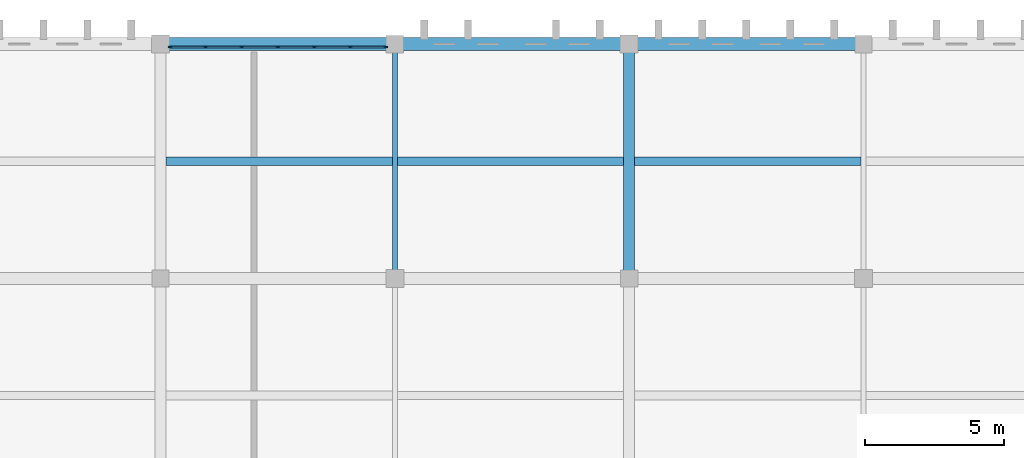
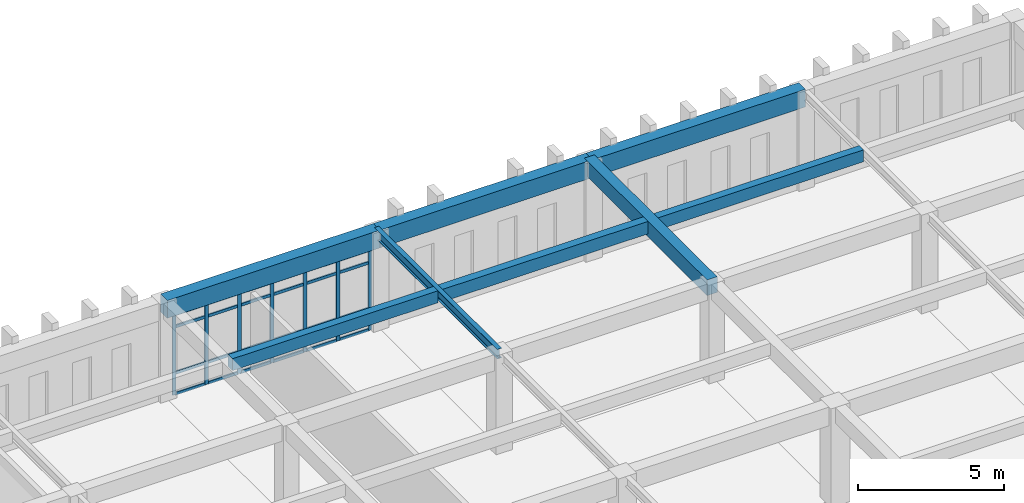
# One storey, part 109 of 192: 31 members, 8 beams, 1 element without a shape of its own.
"""IFC4 building model written with IfcOpenShell, lengths in metres."""

from ifc_helpers import new_model, si_unit, direction, frame, origin, origin_2d, place, context, subcontext, project, spatial, rectangle, i_section, extrude, material, layer, layer_set, material_profile, profile_set, type_object, element, aggregate, save


model = new_model("IFC4")

# Units and contexts
model_context = context("Model", 3, precision=1e-05, world=origin(), true_north=direction((0.0, 1.0)))
body_context = subcontext(model_context, "Body", "Model", "MODEL_VIEW")
ifc_project = project(units=[si_unit("LENGTHUNIT", "METRE"), si_unit("AREAUNIT", "SQUARE_METRE"), si_unit("VOLUMEUNIT", "CUBIC_METRE"), si_unit("PLANEANGLEUNIT", "RADIAN"), si_unit("MASSUNIT", "GRAM", prefix="KILO")], contexts=[model_context])

# Site, building, storey
site_placement = place(None, origin())
site = spatial("IfcSite", under=ifc_project, at=site_placement, CompositionType="ELEMENT")
building_placement = place(site_placement, origin())
building = spatial("IfcBuilding", under=site, at=building_placement, Name="Kveldsbrygga Polytechnic", CompositionType="ELEMENT")
storey_placement = place(building_placement, frame((0.0, 0.0, 5.43994140625)))
storey = spatial("IfcBuildingStorey", under=building, at=storey_placement, Name="L01", CompositionType="ELEMENT", Elevation=5.43994140625)

# Beams
ifc_material_1 = material(Name="Concrete C35/45", Category="concrete")
ifc_material_profile_1 = material_profile(ifc_material_1, rectangle(XDim=0.39990234375, YDim=0.64990234375, at=origin_2d()), Name="RC 400x650")
ifc_profile_set_1 = profile_set([ifc_material_profile_1], Name="Concrete C35/45")
beam_type_1 = type_object("IfcBeamType", Name="BM-RC-400x650", PredefinedType="BEAM", material=ifc_profile_set_1)
beam_1_placement = place(storey_placement, frame((151.199951171875, 109.199951171875, 3.795166015625), z_axis=(0.0, 1.0, 0.0), x_axis=(-1.0, 0.0, 0.0)))
element("IfcBeam", 1, at=beam_1_placement, inside=storey, type_object=beam_type_1, Name="Primary Beam BMY-L01-18-13to14", PredefinedType="BEAM", context=body_context, shape_type="SweptSolid", body=[
    extrude(rectangle(XDim=0.39990234375, YDim=0.64990234375, at=origin_2d()), origin(), (0.0, 0.0, 1.0), 8.400146484375),
])
ifc_material_profile_2 = material_profile(ifc_material_1, rectangle(XDim=0.4599609375, YDim=0.739990234375, at=origin_2d()), Name="RC 460x740")
ifc_profile_set_2 = profile_set([ifc_material_profile_2], Name="Concrete C35/45")
beam_type_2 = type_object("IfcBeamType", Name="BM-RC-460x740", PredefinedType="BEAM", material=ifc_profile_set_2)
beam_2_placement = place(storey_placement, frame((134.39990234375, 117.60009765625, 3.75), z_axis=(1.0, 0.0, 0.0), x_axis=(0.0, 1.0, 0.0)))
element("IfcBeam", 2, at=beam_2_placement, inside=storey, type_object=beam_type_2, Name="Primary Beam BMX-L01-16to17-14", PredefinedType="BEAM", context=body_context, shape_type="SweptSolid", body=[
    extrude(rectangle(XDim=0.4599609375, YDim=0.739990234375, at=origin_2d()), origin(), (0.0, 0.0, 1.0), 8.400146484375),
])
beam_3_placement = place(storey_placement, frame((142.800048828125, 117.60009765625, 3.75), z_axis=(1.0, 0.0, 0.0), x_axis=(0.0, 1.0, 0.0)))
element("IfcBeam", 3, at=beam_3_placement, inside=storey, type_object=beam_type_2, Name="Primary Beam BMX-L01-17to18-14", PredefinedType="BEAM", context=body_context, shape_type="SweptSolid", body=[
    extrude(rectangle(XDim=0.4599609375, YDim=0.739990234375, at=origin_2d()), origin(), (0.0, 0.0, 1.0), 8.39990234375),
])
beam_4_placement = place(storey_placement, frame((151.199951171875, 117.60009765625, 3.75), z_axis=(1.0, 0.0, 0.0), x_axis=(0.0, 1.0, 0.0)))
element("IfcBeam", 4, at=beam_4_placement, inside=storey, type_object=beam_type_2, Name="Primary Beam BMX-L01-18to19-14", PredefinedType="BEAM", context=body_context, shape_type="SweptSolid", body=[
    extrude(rectangle(XDim=0.4599609375, YDim=0.739990234375, at=origin_2d()), origin(), (0.0, 0.0, 1.0), 8.400146484375),
])
ifc_material_2 = material(Name="Steel S355", Category="steel")
ifc_material_profile_3 = material_profile(ifc_material_2, i_section(OverallWidth=0.179931640625, OverallDepth=0.39990234375, WebThickness=0.008544921875, FlangeThickness=0.013427734375, FilletRadius=0.02099609375, at=origin_2d()), Name="IPE 400")
ifc_profile_set_3 = profile_set([ifc_material_profile_3], Name="Steel S355")
beam_type_3 = type_object("IfcBeamType", Name="BM-STL-IPE400", PredefinedType="BEAM", material=ifc_profile_set_3)
beam_5_placement = place(storey_placement, frame((142.800048828125, 109.199951171875, 3.920166015625), z_axis=(0.0, 1.0, 0.0), x_axis=(-1.0, 0.0, 0.0)))
element("IfcBeam", 5, at=beam_5_placement, inside=storey, type_object=beam_type_3, Name="Primary Beam BMY-L01-17-13to14", PredefinedType="BEAM", context=body_context, shape_type="SweptSolid", body=[
    extrude(i_section(OverallWidth=0.179931640625, OverallDepth=0.39990234375, WebThickness=0.008544921875, FlangeThickness=0.013427734375, FilletRadius=0.02099609375, at=origin_2d()), origin(), (0.0, 0.0, 1.0), 8.400146484375),
])

# Curtain wall, members
ifc_material_3 = material(Name="Anodised aluminium AW-6060", Category="aluminium")
ifc_layer = layer(ifc_material_3, 0.179931640625)
ifc_layer_set = layer_set([ifc_layer], Name="Anodised aluminium AW-6060")
curtain_wall_type = type_object("IfcCurtainWallType", Name="CW-CONC-A", PredefinedType="USERDEFINED", material=ifc_layer_set)
curtain_wall_placement = place(storey_placement, origin())
curtain_wall = element("IfcCurtainWall", 6, at=curtain_wall_placement, inside=storey, type_object=curtain_wall_type, Name="Curtain Wall CW-L01-X-16-14", ObjectType="UNITISED CURTAIN WALL", PredefinedType="USERDEFINED")
ifc_material_profile_4 = material_profile(ifc_material_3, rectangle(XDim=0.06005859375, YDim=0.139892578125, at=origin_2d()), Name="ALU 60x140")
ifc_profile_set_4 = profile_set([ifc_material_profile_4], Name="Anodised aluminium AW-6060")
member_type_1 = type_object("IfcMemberType", Name="CW-MUL-140", PredefinedType="MULLION", material=ifc_profile_set_4)
member_1_placement = place(storey_placement, frame((134.739990234375, 117.5, 0.0), z_axis=(0.0, 0.0, 1.0), x_axis=(0.0, 1.0, 0.0)))
member_1 = element("IfcMember", 7, at=member_1_placement, type_object=member_type_1, Name="CW-01 mullion 1", PredefinedType="MULLION", context=body_context, shape_type="SweptSolid", body=[
    extrude(rectangle(XDim=0.06005859375, YDim=0.139892578125, at=origin_2d()), origin(), (0.0, 0.0, 1.0), 3.380126953125),
])
member_2_placement = place(storey_placement, frame((136.00927734375, 117.5, 0.0), z_axis=(0.0, 0.0, 1.0), x_axis=(0.0, 1.0, 0.0)))
member_2 = element("IfcMember", 8, at=member_2_placement, type_object=member_type_1, Name="CW-01 mullion 2", PredefinedType="MULLION", context=body_context, shape_type="SweptSolid", body=[
    extrude(rectangle(XDim=0.06005859375, YDim=0.139892578125, at=origin_2d()), origin(), (0.0, 0.0, 1.0), 3.380126953125),
])
member_3_placement = place(storey_placement, frame((137.308349609375, 117.5, 0.0), z_axis=(0.0, 0.0, 1.0), x_axis=(0.0, 1.0, 0.0)))
member_3 = element("IfcMember", 9, at=member_3_placement, type_object=member_type_1, Name="CW-01 mullion 3", PredefinedType="MULLION", context=body_context, shape_type="SweptSolid", body=[
    extrude(rectangle(XDim=0.06005859375, YDim=0.139892578125, at=origin_2d()), origin(), (0.0, 0.0, 1.0), 3.380126953125),
])
member_4_placement = place(storey_placement, frame((138.607421875, 117.5, 0.0), z_axis=(0.0, 0.0, 1.0), x_axis=(0.0, 1.0, 0.0)))
member_4 = element("IfcMember", 10, at=member_4_placement, type_object=member_type_1, Name="CW-01 mullion 4", PredefinedType="MULLION", context=body_context, shape_type="SweptSolid", body=[
    extrude(rectangle(XDim=0.06005859375, YDim=0.139892578125, at=origin_2d()), origin(), (0.0, 0.0, 1.0), 3.380126953125),
])
member_5_placement = place(storey_placement, frame((139.90673828125, 117.5, 0.0), z_axis=(0.0, 0.0, 1.0), x_axis=(0.0, 1.0, 0.0)))
member_5 = element("IfcMember", 11, at=member_5_placement, type_object=member_type_1, Name="CW-01 mullion 5", PredefinedType="MULLION", context=body_context, shape_type="SweptSolid", body=[
    extrude(rectangle(XDim=0.06005859375, YDim=0.139892578125, at=origin_2d()), origin(), (0.0, 0.0, 1.0), 3.380126953125),
])
member_6_placement = place(storey_placement, frame((141.205810546875, 117.5, 0.0), z_axis=(0.0, 0.0, 1.0), x_axis=(0.0, 1.0, 0.0)))
member_6 = element("IfcMember", 12, at=member_6_placement, type_object=member_type_1, Name="CW-01 mullion 6", PredefinedType="MULLION", context=body_context, shape_type="SweptSolid", body=[
    extrude(rectangle(XDim=0.06005859375, YDim=0.139892578125, at=origin_2d()), origin(), (0.0, 0.0, 1.0), 3.380126953125),
])
member_7_placement = place(storey_placement, frame((142.47509765625, 117.5, 0.0), z_axis=(0.0, 0.0, 1.0), x_axis=(0.0, 1.0, 0.0)))
member_7 = element("IfcMember", 13, at=member_7_placement, type_object=member_type_1, Name="CW-01 mullion 7", PredefinedType="MULLION", context=body_context, shape_type="SweptSolid", body=[
    extrude(rectangle(XDim=0.06005859375, YDim=0.139892578125, at=origin_2d()), origin(), (0.0, 0.0, 1.0), 3.380126953125),
])
ifc_material_profile_5 = material_profile(ifc_material_3, rectangle(XDim=0.06005859375, YDim=0.1201171875, at=origin_2d()), Name="ALU 60x120")
ifc_profile_set_5 = profile_set([ifc_material_profile_5], Name="Anodised aluminium AW-6060")
member_type_2 = type_object("IfcMemberType", Name="CW-TRN-120", PredefinedType="USERDEFINED", material=ifc_profile_set_5)
member_8_placement = place(storey_placement, frame((134.77001953125, 117.5, 0.030029296875), z_axis=(1.0, 0.0, 0.0), x_axis=(0.0, 1.0, 0.0)))
member_8 = element("IfcMember", 14, at=member_8_placement, type_object=member_type_2, Name="CW-01 transom 1.1", ObjectType="TRANSOM", PredefinedType="USERDEFINED", context=body_context, shape_type="SweptSolid", body=[
    extrude(rectangle(XDim=0.06005859375, YDim=0.1201171875, at=origin_2d()), origin(), (0.0, 0.0, 1.0), 1.209228515625),
])
member_9_placement = place(storey_placement, frame((134.77001953125, 117.5, 0.900146484375), z_axis=(1.0, 0.0, 0.0), x_axis=(0.0, 1.0, 0.0)))
member_9 = element("IfcMember", 15, at=member_9_placement, type_object=member_type_2, Name="CW-01 transom 1.2", ObjectType="TRANSOM", PredefinedType="USERDEFINED", context=body_context, shape_type="SweptSolid", body=[
    extrude(rectangle(XDim=0.06005859375, YDim=0.1201171875, at=origin_2d()), origin(), (0.0, 0.0, 1.0), 1.209228515625),
])
member_10_placement = place(storey_placement, frame((134.77001953125, 117.5, 2.830078125), z_axis=(1.0, 0.0, 0.0), x_axis=(0.0, 1.0, 0.0)))
member_10 = element("IfcMember", 16, at=member_10_placement, type_object=member_type_2, Name="CW-01 transom 1.3", ObjectType="TRANSOM", PredefinedType="USERDEFINED", context=body_context, shape_type="SweptSolid", body=[
    extrude(rectangle(XDim=0.06005859375, YDim=0.1201171875, at=origin_2d()), origin(), (0.0, 0.0, 1.0), 1.209228515625),
])
member_11_placement = place(storey_placement, frame((134.77001953125, 117.5, 3.35009765625), z_axis=(1.0, 0.0, 0.0), x_axis=(0.0, 1.0, 0.0)))
member_11 = element("IfcMember", 17, at=member_11_placement, type_object=member_type_2, Name="CW-01 transom 1.4", ObjectType="TRANSOM", PredefinedType="USERDEFINED", context=body_context, shape_type="SweptSolid", body=[
    extrude(rectangle(XDim=0.06005859375, YDim=0.1201171875, at=origin_2d()), origin(), (0.0, 0.0, 1.0), 1.209228515625),
])
member_12_placement = place(storey_placement, frame((136.0390625, 117.5, 0.030029296875), z_axis=(1.0, 0.0, 0.0), x_axis=(0.0, 1.0, 0.0)))
member_12 = element("IfcMember", 18, at=member_12_placement, type_object=member_type_2, Name="CW-01 transom 2.1", ObjectType="TRANSOM", PredefinedType="USERDEFINED", context=body_context, shape_type="SweptSolid", body=[
    extrude(rectangle(XDim=0.06005859375, YDim=0.1201171875, at=origin_2d()), origin(), (0.0, 0.0, 1.0), 1.2392578125),
])
member_13_placement = place(storey_placement, frame((136.0390625, 117.5, 0.900146484375), z_axis=(1.0, 0.0, 0.0), x_axis=(0.0, 1.0, 0.0)))
member_13 = element("IfcMember", 19, at=member_13_placement, type_object=member_type_2, Name="CW-01 transom 2.2", ObjectType="TRANSOM", PredefinedType="USERDEFINED", context=body_context, shape_type="SweptSolid", body=[
    extrude(rectangle(XDim=0.06005859375, YDim=0.1201171875, at=origin_2d()), origin(), (0.0, 0.0, 1.0), 1.2392578125),
])
member_14_placement = place(storey_placement, frame((136.0390625, 117.5, 2.830078125), z_axis=(1.0, 0.0, 0.0), x_axis=(0.0, 1.0, 0.0)))
member_14 = element("IfcMember", 20, at=member_14_placement, type_object=member_type_2, Name="CW-01 transom 2.3", ObjectType="TRANSOM", PredefinedType="USERDEFINED", context=body_context, shape_type="SweptSolid", body=[
    extrude(rectangle(XDim=0.06005859375, YDim=0.1201171875, at=origin_2d()), origin(), (0.0, 0.0, 1.0), 1.2392578125),
])
member_15_placement = place(storey_placement, frame((136.0390625, 117.5, 3.35009765625), z_axis=(1.0, 0.0, 0.0), x_axis=(0.0, 1.0, 0.0)))
member_15 = element("IfcMember", 21, at=member_15_placement, type_object=member_type_2, Name="CW-01 transom 2.4", ObjectType="TRANSOM", PredefinedType="USERDEFINED", context=body_context, shape_type="SweptSolid", body=[
    extrude(rectangle(XDim=0.06005859375, YDim=0.1201171875, at=origin_2d()), origin(), (0.0, 0.0, 1.0), 1.2392578125),
])
member_16_placement = place(storey_placement, frame((137.33837890625, 117.5, 0.030029296875), z_axis=(1.0, 0.0, 0.0), x_axis=(0.0, 1.0, 0.0)))
member_16 = element("IfcMember", 22, at=member_16_placement, type_object=member_type_2, Name="CW-01 transom 3.1", ObjectType="TRANSOM", PredefinedType="USERDEFINED", context=body_context, shape_type="SweptSolid", body=[
    extrude(rectangle(XDim=0.06005859375, YDim=0.1201171875, at=origin_2d()), origin(), (0.0, 0.0, 1.0), 1.239013671875),
])
member_17_placement = place(storey_placement, frame((137.33837890625, 117.5, 0.900146484375), z_axis=(1.0, 0.0, 0.0), x_axis=(0.0, 1.0, 0.0)))
member_17 = element("IfcMember", 23, at=member_17_placement, type_object=member_type_2, Name="CW-01 transom 3.2", ObjectType="TRANSOM", PredefinedType="USERDEFINED", context=body_context, shape_type="SweptSolid", body=[
    extrude(rectangle(XDim=0.06005859375, YDim=0.1201171875, at=origin_2d()), origin(), (0.0, 0.0, 1.0), 1.239013671875),
])
member_18_placement = place(storey_placement, frame((137.33837890625, 117.5, 2.830078125), z_axis=(1.0, 0.0, 0.0), x_axis=(0.0, 1.0, 0.0)))
member_18 = element("IfcMember", 24, at=member_18_placement, type_object=member_type_2, Name="CW-01 transom 3.3", ObjectType="TRANSOM", PredefinedType="USERDEFINED", context=body_context, shape_type="SweptSolid", body=[
    extrude(rectangle(XDim=0.06005859375, YDim=0.1201171875, at=origin_2d()), origin(), (0.0, 0.0, 1.0), 1.239013671875),
])
member_19_placement = place(storey_placement, frame((137.33837890625, 117.5, 3.35009765625), z_axis=(1.0, 0.0, 0.0), x_axis=(0.0, 1.0, 0.0)))
member_19 = element("IfcMember", 25, at=member_19_placement, type_object=member_type_2, Name="CW-01 transom 3.4", ObjectType="TRANSOM", PredefinedType="USERDEFINED", context=body_context, shape_type="SweptSolid", body=[
    extrude(rectangle(XDim=0.06005859375, YDim=0.1201171875, at=origin_2d()), origin(), (0.0, 0.0, 1.0), 1.239013671875),
])
member_20_placement = place(storey_placement, frame((138.637451171875, 117.5, 0.030029296875), z_axis=(1.0, 0.0, 0.0), x_axis=(0.0, 1.0, 0.0)))
member_20 = element("IfcMember", 26, at=member_20_placement, type_object=member_type_2, Name="CW-01 transom 4.1", ObjectType="TRANSOM", PredefinedType="USERDEFINED", context=body_context, shape_type="SweptSolid", body=[
    extrude(rectangle(XDim=0.06005859375, YDim=0.1201171875, at=origin_2d()), origin(), (0.0, 0.0, 1.0), 1.2392578125),
])
member_21_placement = place(storey_placement, frame((138.637451171875, 117.5, 0.900146484375), z_axis=(1.0, 0.0, 0.0), x_axis=(0.0, 1.0, 0.0)))
member_21 = element("IfcMember", 27, at=member_21_placement, type_object=member_type_2, Name="CW-01 transom 4.2", ObjectType="TRANSOM", PredefinedType="USERDEFINED", context=body_context, shape_type="SweptSolid", body=[
    extrude(rectangle(XDim=0.06005859375, YDim=0.1201171875, at=origin_2d()), origin(), (0.0, 0.0, 1.0), 1.2392578125),
])
member_22_placement = place(storey_placement, frame((138.637451171875, 117.5, 2.830078125), z_axis=(1.0, 0.0, 0.0), x_axis=(0.0, 1.0, 0.0)))
member_22 = element("IfcMember", 28, at=member_22_placement, type_object=member_type_2, Name="CW-01 transom 4.3", ObjectType="TRANSOM", PredefinedType="USERDEFINED", context=body_context, shape_type="SweptSolid", body=[
    extrude(rectangle(XDim=0.06005859375, YDim=0.1201171875, at=origin_2d()), origin(), (0.0, 0.0, 1.0), 1.2392578125),
])
member_23_placement = place(storey_placement, frame((138.637451171875, 117.5, 3.35009765625), z_axis=(1.0, 0.0, 0.0), x_axis=(0.0, 1.0, 0.0)))
member_23 = element("IfcMember", 29, at=member_23_placement, type_object=member_type_2, Name="CW-01 transom 4.4", ObjectType="TRANSOM", PredefinedType="USERDEFINED", context=body_context, shape_type="SweptSolid", body=[
    extrude(rectangle(XDim=0.06005859375, YDim=0.1201171875, at=origin_2d()), origin(), (0.0, 0.0, 1.0), 1.2392578125),
])
member_24_placement = place(storey_placement, frame((139.936767578125, 117.5, 0.030029296875), z_axis=(1.0, 0.0, 0.0), x_axis=(0.0, 1.0, 0.0)))
member_24 = element("IfcMember", 30, at=member_24_placement, type_object=member_type_2, Name="CW-01 transom 5.1", ObjectType="TRANSOM", PredefinedType="USERDEFINED", context=body_context, shape_type="SweptSolid", body=[
    extrude(rectangle(XDim=0.06005859375, YDim=0.1201171875, at=origin_2d()), origin(), (0.0, 0.0, 1.0), 1.239013671875),
])
member_25_placement = place(storey_placement, frame((139.936767578125, 117.5, 0.900146484375), z_axis=(1.0, 0.0, 0.0), x_axis=(0.0, 1.0, 0.0)))
member_25 = element("IfcMember", 31, at=member_25_placement, type_object=member_type_2, Name="CW-01 transom 5.2", ObjectType="TRANSOM", PredefinedType="USERDEFINED", context=body_context, shape_type="SweptSolid", body=[
    extrude(rectangle(XDim=0.06005859375, YDim=0.1201171875, at=origin_2d()), origin(), (0.0, 0.0, 1.0), 1.239013671875),
])
member_26_placement = place(storey_placement, frame((139.936767578125, 117.5, 2.830078125), z_axis=(1.0, 0.0, 0.0), x_axis=(0.0, 1.0, 0.0)))
member_26 = element("IfcMember", 32, at=member_26_placement, type_object=member_type_2, Name="CW-01 transom 5.3", ObjectType="TRANSOM", PredefinedType="USERDEFINED", context=body_context, shape_type="SweptSolid", body=[
    extrude(rectangle(XDim=0.06005859375, YDim=0.1201171875, at=origin_2d()), origin(), (0.0, 0.0, 1.0), 1.239013671875),
])
member_27_placement = place(storey_placement, frame((139.936767578125, 117.5, 3.35009765625), z_axis=(1.0, 0.0, 0.0), x_axis=(0.0, 1.0, 0.0)))
member_27 = element("IfcMember", 33, at=member_27_placement, type_object=member_type_2, Name="CW-01 transom 5.4", ObjectType="TRANSOM", PredefinedType="USERDEFINED", context=body_context, shape_type="SweptSolid", body=[
    extrude(rectangle(XDim=0.06005859375, YDim=0.1201171875, at=origin_2d()), origin(), (0.0, 0.0, 1.0), 1.239013671875),
])
member_28_placement = place(storey_placement, frame((141.23583984375, 117.5, 0.030029296875), z_axis=(1.0, 0.0, 0.0), x_axis=(0.0, 1.0, 0.0)))
member_28 = element("IfcMember", 34, at=member_28_placement, type_object=member_type_2, Name="CW-01 transom 6.1", ObjectType="TRANSOM", PredefinedType="USERDEFINED", context=body_context, shape_type="SweptSolid", body=[
    extrude(rectangle(XDim=0.06005859375, YDim=0.1201171875, at=origin_2d()), origin(), (0.0, 0.0, 1.0), 1.209228515625),
])
member_29_placement = place(storey_placement, frame((141.23583984375, 117.5, 0.900146484375), z_axis=(1.0, 0.0, 0.0), x_axis=(0.0, 1.0, 0.0)))
member_29 = element("IfcMember", 35, at=member_29_placement, type_object=member_type_2, Name="CW-01 transom 6.2", ObjectType="TRANSOM", PredefinedType="USERDEFINED", context=body_context, shape_type="SweptSolid", body=[
    extrude(rectangle(XDim=0.06005859375, YDim=0.1201171875, at=origin_2d()), origin(), (0.0, 0.0, 1.0), 1.209228515625),
])
member_30_placement = place(storey_placement, frame((141.23583984375, 117.5, 2.830078125), z_axis=(1.0, 0.0, 0.0), x_axis=(0.0, 1.0, 0.0)))
member_30 = element("IfcMember", 36, at=member_30_placement, type_object=member_type_2, Name="CW-01 transom 6.3", ObjectType="TRANSOM", PredefinedType="USERDEFINED", context=body_context, shape_type="SweptSolid", body=[
    extrude(rectangle(XDim=0.06005859375, YDim=0.1201171875, at=origin_2d()), origin(), (0.0, 0.0, 1.0), 1.209228515625),
])
member_31_placement = place(storey_placement, frame((141.23583984375, 117.5, 3.35009765625), z_axis=(1.0, 0.0, 0.0), x_axis=(0.0, 1.0, 0.0)))
member_31 = element("IfcMember", 37, at=member_31_placement, type_object=member_type_2, Name="CW-01 transom 6.4", ObjectType="TRANSOM", PredefinedType="USERDEFINED", context=body_context, shape_type="SweptSolid", body=[
    extrude(rectangle(XDim=0.06005859375, YDim=0.1201171875, at=origin_2d()), origin(), (0.0, 0.0, 1.0), 1.209228515625),
])
aggregate(curtain_wall, [member_1, member_2, member_3, member_4, member_5, member_6, member_7, member_8, member_9, member_10, member_11, member_12, member_13, member_14, member_15, member_16, member_17, member_18, member_19, member_20, member_21, member_22, member_23, member_24, member_25, member_26, member_27, member_28, member_29, member_30, member_31])

# Beams
ifc_material_profile_6 = material_profile(ifc_material_1, rectangle(XDim=0.300048828125, YDim=0.5, at=origin_2d()), Name="RC 300x500")
ifc_profile_set_6 = profile_set([ifc_material_profile_6], Name="Concrete C35/45")
beam_type_4 = type_object("IfcBeamType", Name="JST-RC-300x500", PredefinedType="JOIST", material=ifc_profile_set_6)
beam_6_placement = place(storey_placement, frame((134.60009765625, 113.39990234375, 3.8701171875), z_axis=(1.0, 0.0, 0.0), x_axis=(0.0, 1.0, 0.0)))
element("IfcBeam", 38, at=beam_6_placement, inside=storey, type_object=beam_type_4, Name="Secondary Joist JST-L01-16-13", PredefinedType="JOIST", context=body_context, shape_type="SweptSolid", body=[
    extrude(rectangle(XDim=0.300048828125, YDim=0.5, at=origin_2d()), origin(), (0.0, 0.0, 1.0), 8.10986328125),
])
beam_7_placement = place(storey_placement, frame((151.39990234375, 113.39990234375, 3.8701171875), z_axis=(1.0, 0.0, 0.0), x_axis=(0.0, 1.0, 0.0)))
element("IfcBeam", 39, at=beam_7_placement, inside=storey, type_object=beam_type_4, Name="Secondary Joist JST-L01-18-13", PredefinedType="JOIST", context=body_context, shape_type="SweptSolid", body=[
    extrude(rectangle(XDim=0.300048828125, YDim=0.5, at=origin_2d()), origin(), (0.0, 0.0, 1.0), 8.110107421875),
])
ifc_material_profile_7 = material_profile(ifc_material_1, rectangle(XDim=0.320068359375, YDim=0.52001953125, at=origin_2d()), Name="RC 320x520")
ifc_profile_set_7 = profile_set([ifc_material_profile_7], Name="Concrete C35/45")
beam_type_5 = type_object("IfcBeamType", Name="JST-RC-320x520", PredefinedType="JOIST", material=ifc_profile_set_7)
beam_8_placement = place(storey_placement, frame((142.889892578125, 113.39990234375, 3.860107421875), z_axis=(1.0, 0.0, 0.0), x_axis=(0.0, 1.0, 0.0)))
element("IfcBeam", 40, at=beam_8_placement, inside=storey, type_object=beam_type_5, Name="Secondary Joist JST-L01-17-13", PredefinedType="JOIST", context=body_context, shape_type="SweptSolid", body=[
    extrude(rectangle(XDim=0.320068359375, YDim=0.52001953125, at=origin_2d()), origin(), (0.0, 0.0, 1.0), 8.110107421875),
])

save(model, "model.ifc")
